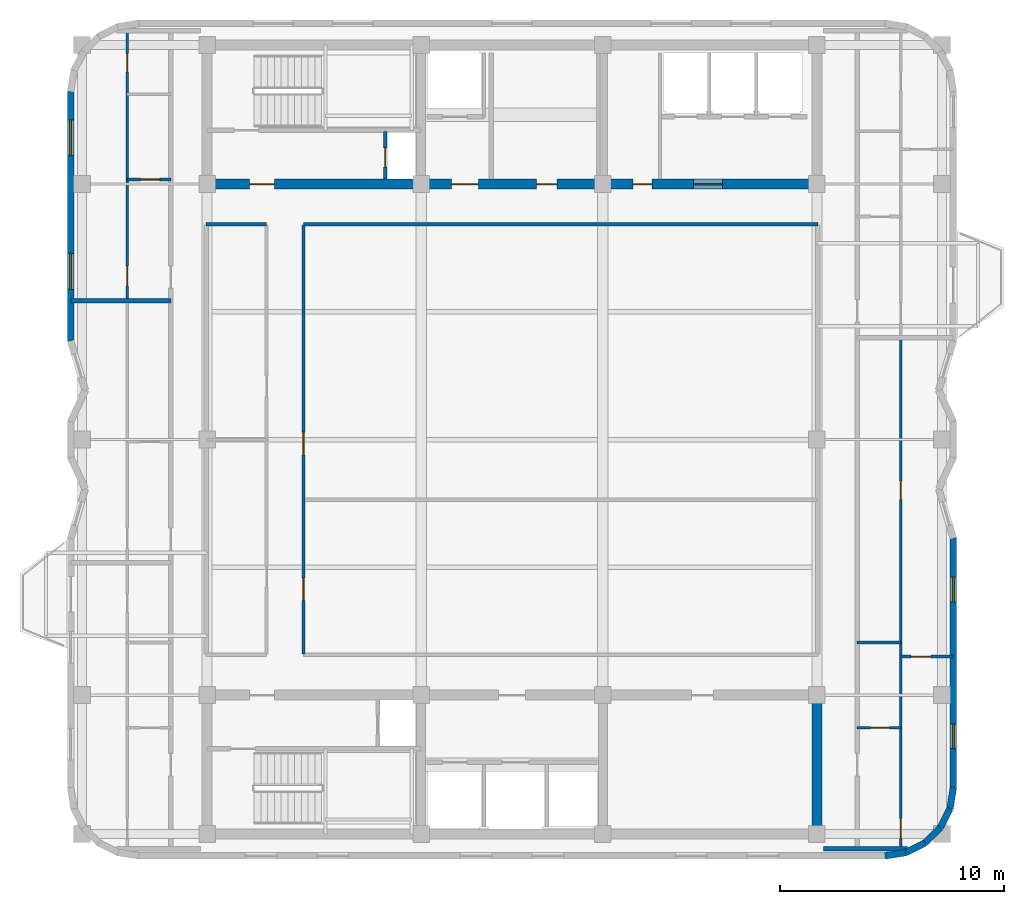
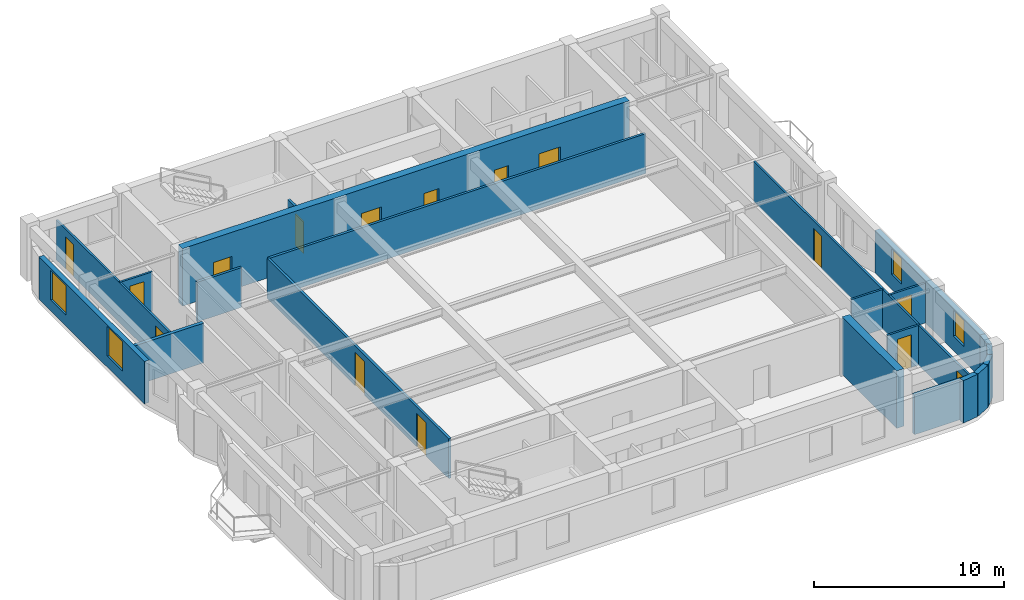
# One storey, part 4 of 8: 21 walls, 15 doors, 4 windows, 19 openings.
"""IFC4 building model written with IfcOpenShell, lengths in metres."""

from ifc_helpers import new_model, si_unit, direction, frame, frame_2d, origin, place, context, subcontext, project, spatial, rectangle, extrude, material, layer, layer_set, type_object, element, fill, save


model = new_model("IFC4")

# Units and contexts
model_context = context("Model", 3, precision=1e-05, world=origin(), true_north=direction((0.0, 1.0)))
body_context = subcontext(model_context, "Body", "Model", "MODEL_VIEW")
ifc_project = project(units=[si_unit("LENGTHUNIT", "METRE"), si_unit("AREAUNIT", "SQUARE_METRE"), si_unit("VOLUMEUNIT", "CUBIC_METRE"), si_unit("PLANEANGLEUNIT", "RADIAN"), si_unit("MASSUNIT", "GRAM", prefix="KILO")], contexts=[model_context])

# Site, building, storey
site_placement = place(None, origin())
site = spatial("IfcSite", under=ifc_project, at=site_placement, CompositionType="ELEMENT")
building_placement = place(site_placement, origin())
building = spatial("IfcBuilding", under=site, at=building_placement, Name="Svetorya Sky Lyceum", CompositionType="ELEMENT")
storey_placement = place(building_placement, frame((0.0, 0.0, 286.10009765625)))
storey = spatial("IfcBuildingStorey", under=building, at=storey_placement, Name="L72", CompositionType="ELEMENT", Elevation=286.10009765625)

# Wall
ifc_material_1 = material(Name="Concrete C50/60", Category="concrete")
ifc_layer_1 = layer(ifc_material_1, 0.449951171875)
ifc_layer_set_1 = layer_set([ifc_layer_1], Name="Concrete C50/60")
wall_type_1 = type_object("IfcWallType", Name="WL-CORE-450", PredefinedType="SHEAR", material=ifc_layer_set_1)
wall_1_placement = place(storey_placement, frame((52.800048828125, 10.824951171875, 0.0), z_axis=(0.0, 0.0, 1.0), x_axis=(0.0, 1.0, 0.0)))
element("IfcWall", 1, at=wall_1_placement, inside=storey, type_object=wall_type_1, Name="L72 SC East Core Shear Wall", PredefinedType="SHEAR", context=body_context, shape_type="SweptSolid", body=[
    extrude(rectangle(XDim=5.75, YDim=0.449951171875, at=frame_2d((2.875, 0.0))), origin(), (0.0, 0.0, 1.0), 3.699951171875),
])

# Wall, openings, doors
wall_2_placement = place(storey_placement, frame((52.800048828125, 39.60009765625, 0.0), z_axis=(0.0, 0.0, 1.0), x_axis=(-1.0, 0.0, 0.0)))
wall_2 = element("IfcWall", 2, at=wall_2_placement, inside=storey, type_object=wall_type_1, Name="L72 NC Inner Core Shear Wall", PredefinedType="SHEAR", context=body_context, shape_type="SweptSolid", body=[
    extrude(rectangle(XDim=27.199951171875, YDim=0.449951171875, at=frame_2d((13.60009765625, 0.0))), origin(), (0.0, 0.0, 1.0), 3.699951171875),
])
opening_1_placement = place(wall_2_placement, frame((24.199951171875, 0.0, 0.0)))
opening_1 = element("IfcOpeningElement", 3, at=opening_1_placement, cuts=wall_2, Name="Opening D-ST1", PredefinedType="OPENING", context=body_context, shape_type="SweptSolid", body=[
    extrude(rectangle(XDim=1.10009765625, YDim=2.14990234375, at=frame_2d((0.550048828125, 1.074951171875))), frame((0.0, 0.23486328125, 0.0), z_axis=(0.0, -1.0, 0.0), x_axis=(1.0, 0.0, 0.0)), (0.0, 0.0, 1.0), 0.469970703125),
])
opening_2_placement = place(wall_2_placement, frame((15.10009765625, 0.0, 0.0)))
opening_2 = element("IfcOpeningElement", 4, at=opening_2_placement, cuts=wall_2, Name="Opening D-FL1", PredefinedType="OPENING", context=body_context, shape_type="SweptSolid", body=[
    extrude(rectangle(XDim=1.199951171875, YDim=2.14990234375, at=frame_2d((0.60009765625, 1.074951171875))), frame((0.0, 0.23486328125, 0.0), z_axis=(0.0, -1.0, 0.0), x_axis=(1.0, 0.0, 0.0)), (0.0, 0.0, 1.0), 0.469970703125),
])
opening_3_placement = place(wall_2_placement, frame((11.60009765625, 0.0, 0.0)))
opening_3 = element("IfcOpeningElement", 5, at=opening_3_placement, cuts=wall_2, Name="Opening D-RM1", PredefinedType="OPENING", context=body_context, shape_type="SweptSolid", body=[
    extrude(rectangle(XDim=0.89990234375, YDim=2.10009765625, at=frame_2d((0.449951171875, 1.050048828125))), frame((0.0, 0.23486328125, 0.0), z_axis=(0.0, -1.0, 0.0), x_axis=(1.0, 0.0, 0.0)), (0.0, 0.0, 1.0), 0.469970703125),
])
opening_4_placement = place(wall_2_placement, frame((7.35009765625, 0.0, 0.0)))
opening_4 = element("IfcOpeningElement", 6, at=opening_4_placement, cuts=wall_2, Name="Opening D-CWC1", PredefinedType="OPENING", context=body_context, shape_type="SweptSolid", body=[
    extrude(rectangle(XDim=0.85009765625, YDim=2.10009765625, at=frame_2d((0.425048828125, 1.050048828125))), frame((0.0, 0.23486328125, 0.0), z_axis=(0.0, -1.0, 0.0), x_axis=(1.0, 0.0, 0.0)), (0.0, 0.0, 1.0), 0.469970703125),
])
opening_5_placement = place(wall_2_placement, frame((4.199951171875, 0.0, 0.0)))
opening_5 = element("IfcOpeningElement", 7, at=opening_5_placement, cuts=wall_2, Name="Opening D-LB1", PredefinedType="OPENING", context=body_context, shape_type="SweptSolid", body=[
    extrude(rectangle(XDim=1.300048828125, YDim=2.199951171875, at=frame_2d((0.64990234375, 1.10009765625))), frame((0.0, 0.23486328125, 0.0), z_axis=(0.0, -1.0, 0.0), x_axis=(1.0, 0.0, 0.0)), (0.0, 0.0, 1.0), 0.469970703125),
])
ifc_material_2 = material(Name="Fire-rated galvanized steel core service closet door", Category="steel")
door_type_1 = type_object("IfcDoorType", Name="DR-CWET-850", OperationType="SINGLE_SWING_LEFT", PredefinedType="DOOR", material=ifc_material_2)
door_1_placement = place(opening_4_placement, origin())
door_1 = element("IfcDoor", 8, at=door_1_placement, inside=storey, type_object=door_type_1, Name="L72 High-Zone Utility Room Door", OperationType="SINGLE_SWING_LEFT", OverallHeight=2.10009765625, OverallWidth=0.85009765625, PredefinedType="DOOR", context=body_context, shape_type="SweptSolid", body=[
    extrude(rectangle(XDim=0.85009765625, YDim=2.10009765625, at=frame_2d((0.425048828125, 1.050048828125))), frame((0.0, 0.02490234375, 0.0), z_axis=(0.0, -1.0, 0.0), x_axis=(1.0, 0.0, 0.0)), (0.0, 0.0, 1.0), 0.050048828125),
])
fill(opening_4, door_1)
ifc_material_3 = material(Name="Powder-coated insulated galvanized stair fire door")
door_type_2 = type_object("IfcDoorType", Name="DR-FIRE-1100", OperationType="SINGLE_SWING_LEFT", PredefinedType="DOOR", material=ifc_material_3)
door_2_placement = place(opening_1_placement, origin())
door_2 = element("IfcDoor", 9, at=door_2_placement, inside=storey, type_object=door_type_2, Name="L72 North Stair Airlock Door", OperationType="SINGLE_SWING_LEFT", OverallHeight=2.14990234375, OverallWidth=1.10009765625, PredefinedType="DOOR", context=body_context, shape_type="SweptSolid", body=[
    extrude(rectangle(XDim=1.10009765625, YDim=2.14990234375, at=frame_2d((0.550048828125, 1.074951171875))), frame((0.0, 0.02490234375, 0.0), z_axis=(0.0, -1.0, 0.0), x_axis=(1.0, 0.0, 0.0)), (0.0, 0.0, 1.0), 0.050048828125),
])
fill(opening_1, door_2)
ifc_material_4 = material(Name="Powder-coated insulated galvanized fire door")
door_type_3 = type_object("IfcDoorType", Name="DR-FIRE-1200", OperationType="SINGLE_SWING_LEFT", PredefinedType="DOOR", material=ifc_material_4)
door_3_placement = place(opening_2_placement, origin())
door_3 = element("IfcDoor", 10, at=door_3_placement, inside=storey, type_object=door_type_3, Name="L72 North Firefighting Lift Lobby Door", OperationType="SINGLE_SWING_RIGHT", OverallHeight=2.14990234375, OverallWidth=1.199951171875, PredefinedType="DOOR", context=body_context, shape_type="SweptSolid", body=[
    extrude(rectangle(XDim=1.199951171875, YDim=2.14990234375, at=frame_2d((0.60009765625, 1.074951171875))), frame((0.0, 0.02490234375, 0.0), z_axis=(0.0, -1.0, 0.0), x_axis=(1.0, 0.0, 0.0)), (0.0, 0.0, 1.0), 0.050048828125),
])
fill(opening_2, door_3)
ifc_material_5 = material(Name="Lacquered birch veneer internal door")
door_type_4 = type_object("IfcDoorType", Name="DR-INT-900", OperationType="SINGLE_SWING_LEFT", PredefinedType="DOOR", material=ifc_material_5)
door_4_placement = place(opening_3_placement, origin())
door_4 = element("IfcDoor", 11, at=door_4_placement, inside=storey, type_object=door_type_4, Name="L72 Upper Archive Door", OperationType="SINGLE_SWING_LEFT", OverallHeight=2.10009765625, OverallWidth=0.89990234375, PredefinedType="DOOR", context=body_context, shape_type="SweptSolid", body=[
    extrude(rectangle(XDim=0.89990234375, YDim=2.10009765625, at=frame_2d((0.449951171875, 1.050048828125))), frame((0.0, 0.02490234375, 0.0), z_axis=(0.0, -1.0, 0.0), x_axis=(1.0, 0.0, 0.0)), (0.0, 0.0, 1.0), 0.050048828125),
])
fill(opening_3, door_4)
ifc_material_6 = material(Name="Glazed fire-rated aluminium lobby door", Category="aluminium")
door_type_5 = type_object("IfcDoorType", Name="DR-LOB-1300", OperationType="SINGLE_SWING_LEFT", PredefinedType="DOOR", material=ifc_material_6)
door_5_placement = place(opening_5_placement, origin())
door_5 = element("IfcDoor", 12, at=door_5_placement, inside=storey, type_object=door_type_5, Name="L72 North Passenger Lift Lobby Door", OperationType="SINGLE_SWING_LEFT", OverallHeight=2.199951171875, OverallWidth=1.300048828125, PredefinedType="DOOR", context=body_context, shape_type="SweptSolid", body=[
    extrude(rectangle(XDim=1.300048828125, YDim=2.199951171875, at=frame_2d((0.64990234375, 1.10009765625))), frame((0.0, 0.02490234375, 0.0), z_axis=(0.0, -1.0, 0.0), x_axis=(1.0, 0.0, 0.0)), (0.0, 0.0, 1.0), 0.050048828125),
])
fill(opening_5, door_5)

# Walls
ifc_material_7 = material(Name="Putilovo limestone rainscreen on autoclaved cellular masonry", Category="masonry")
ifc_layer_2 = layer(ifc_material_7, 0.300048828125)
ifc_layer_set_2 = layer_set([ifc_layer_2], Name="Putilovo limestone rainscreen on autoclaved cellular masonry")
wall_type_2 = type_object("IfcWallType", Name="WL-EXT-300", PredefinedType="SOLIDWALL", material=ifc_layer_set_2)
wall_3_placement = place(storey_placement, frame((55.840087890625, 9.6298828125, 0.0), z_axis=(0.0, 0.0, 1.0), x_axis=(0.987663181641, 0.156593229835, 0.0)))
element("IfcWall", 13, at=wall_3_placement, inside=storey, type_object=wall_type_2, Name="L72 Limestone Exterior Wall 7M", PredefinedType="SOLIDWALL", context=body_context, shape_type="SweptSolid", body=[
    extrude(rectangle(XDim=0.9541015625, YDim=0.300048828125, at=frame_2d((0.47705078125, 0.0))), origin(), (0.0, 0.0, 1.0), 2.72998046875),
])
for number, where, z_axis, x_axis, name in (
    (14, (56.782470703125, 9.779296875, 0.0), (0.0, 0.0, 1.0), (0.891076589373, 0.453852962833, 0.0), "L72 Limestone Exterior Wall 8M"),
    (15, (57.6328125, 10.21240234375, 0.0), (0.0, 0.0, 1.0), (0.707106781187, 0.707106781187, 0.0), "L72 Limestone Exterior Wall 9M"),
    (16, (58.3076171875, 10.88720703125, 0.0), (0.0, 0.0, 1.0), (0.453852962833, 0.891076589373, 0.0), "L72 Limestone Exterior Wall 10M"),
):
    element("IfcWall", number, at=place(storey_placement, frame(where, z_axis=z_axis, x_axis=x_axis)), inside=storey, type_object=wall_type_2, Name=name, PredefinedType="SOLIDWALL", context=body_context, shape_type="SweptSolid", body=[
        extrude(rectangle(XDim=0.954345703125, YDim=0.300048828125, at=frame_2d((0.47705078125, 0.0))), origin(), (0.0, 0.0, 1.0), 2.72998046875),
    ])
wall_4_placement = place(storey_placement, frame((58.74072265625, 11.737548828125, 0.0), z_axis=(0.0, 0.0, 1.0), x_axis=(0.156343617883, 0.987702725088, 0.0)))
element("IfcWall", 17, at=wall_4_placement, inside=storey, type_object=wall_type_2, Name="L72 Limestone Exterior Wall 11M", PredefinedType="SOLIDWALL", context=body_context, shape_type="SweptSolid", body=[
    extrude(rectangle(XDim=0.9541015625, YDim=0.300048828125, at=frame_2d((0.47705078125, 0.0))), origin(), (0.0, 0.0, 1.0), 2.72998046875),
])

# Wall, openings, windows
wall_5_placement = place(storey_placement, frame((58.889892578125, 12.679931640625, 0.0), z_axis=(0.0, 0.0, 1.0), x_axis=(0.0, 1.0, 0.0)))
wall_5 = element("IfcWall", 18, at=wall_5_placement, inside=storey, type_object=wall_type_2, Name="L72 Limestone Exterior Wall 12M", PredefinedType="SOLIDWALL", context=body_context, shape_type="SweptSolid", body=[
    extrude(rectangle(XDim=11.1201171875, YDim=0.300048828125, at=frame_2d((5.56005859375, 0.0))), origin(), (0.0, 0.0, 1.0), 2.72998046875),
])
opening_6_placement = place(wall_5_placement, frame((1.73681640625, 0.0, 0.949951171875)))
opening_6 = element("IfcOpeningElement", 19, at=opening_6_placement, cuts=wall_5, Name="Opening W-R3", PredefinedType="OPENING", context=body_context, shape_type="SweptSolid", body=[
    extrude(rectangle(XDim=1.10009765625, YDim=1.64990234375, at=frame_2d((0.550048828125, 0.824951171875))), frame((0.0, 0.159912109375, 0.0), z_axis=(0.0, -1.0, 0.0), x_axis=(1.0, 0.0, 0.0)), (0.0, 0.0, 1.0), 0.320068359375),
])
opening_7_placement = place(wall_5_placement, frame((8.283203125, 0.0, 0.949951171875)))
opening_7 = element("IfcOpeningElement", 20, at=opening_7_placement, cuts=wall_5, Name="Opening W-R3", PredefinedType="OPENING", context=body_context, shape_type="SweptSolid", body=[
    extrude(rectangle(XDim=1.10009765625, YDim=1.64990234375, at=frame_2d((0.550048828125, 0.824951171875))), frame((0.0, 0.159912109375, 0.0), z_axis=(0.0, -1.0, 0.0), x_axis=(1.0, 0.0, 0.0)), (0.0, 0.0, 1.0), 0.320068359375),
])
ifc_material_8 = material(Name="Thermally broken aluminium frame with triple low-E glazing", Category="aluminium")
window_type_1 = type_object("IfcWindowType", Name="WN-RES-110", PartitioningType="SINGLE_PANEL", PredefinedType="WINDOW", material=ifc_material_8)
window_1_placement = place(opening_6_placement, origin())
window_1 = element("IfcWindow", 21, at=window_1_placement, inside=storey, type_object=window_type_1, Name="L72 Facade Window W-R3.12M.1", OverallHeight=1.64990234375, OverallWidth=1.10009765625, PartitioningType="SINGLE_PANEL", PredefinedType="WINDOW", context=body_context, shape_type="SweptSolid", body=[
    extrude(rectangle(XDim=1.10009765625, YDim=1.64990234375, at=frame_2d((0.550048828125, 0.824951171875))), frame((0.0, 0.030029296875, 0.0), z_axis=(0.0, -1.0, 0.0), x_axis=(1.0, 0.0, 0.0)), (0.0, 0.0, 1.0), 0.06005859375),
])
fill(opening_6, window_1)
window_2_placement = place(opening_7_placement, origin())
window_2 = element("IfcWindow", 22, at=window_2_placement, inside=storey, type_object=window_type_1, Name="L72 Facade Window W-R3.12M.2", OverallHeight=1.64990234375, OverallWidth=1.10009765625, PartitioningType="SINGLE_PANEL", PredefinedType="WINDOW", context=body_context, shape_type="SweptSolid", body=[
    extrude(rectangle(XDim=1.10009765625, YDim=1.64990234375, at=frame_2d((0.550048828125, 0.824951171875))), frame((0.0, 0.030029296875, 0.0), z_axis=(0.0, -1.0, 0.0), x_axis=(1.0, 0.0, 0.0)), (0.0, 0.0, 1.0), 0.06005859375),
])
fill(opening_7, window_2)

wall_6_placement = place(storey_placement, frame((19.510009765625, 43.719970703125, 0.0), z_axis=(0.0, 0.0, 1.0), x_axis=(0.0, -1.0, 0.0)))
wall_6 = element("IfcWall", 23, at=wall_6_placement, inside=storey, type_object=wall_type_2, Name="L72 Limestone Exterior Wall 30M", PredefinedType="SOLIDWALL", context=body_context, shape_type="SweptSolid", body=[
    extrude(rectangle(XDim=11.119873046875, YDim=0.300048828125, at=frame_2d((5.56005859375, 0.0))), origin(), (0.0, 0.0, 1.0), 2.72998046875),
])
opening_8_placement = place(wall_6_placement, frame((1.2548828125, 0.0, 0.7099609375)))
opening_8 = element("IfcOpeningElement", 24, at=opening_8_placement, cuts=wall_6, Name="Opening W-R4", PredefinedType="OPENING", context=body_context, shape_type="SweptSolid", body=[
    extrude(rectangle(XDim=1.60009765625, YDim=1.89990234375, at=frame_2d((0.800048828125, 0.949951171875))), frame((0.0, 0.159912109375, 0.0), z_axis=(0.0, -1.0, 0.0), x_axis=(1.0, 0.0, 0.0)), (0.0, 0.0, 1.0), 0.320068359375),
])
opening_9_placement = place(wall_6_placement, frame((7.215087890625, 0.0, 0.7099609375)))
opening_9 = element("IfcOpeningElement", 25, at=opening_9_placement, cuts=wall_6, Name="Opening W-R4", PredefinedType="OPENING", context=body_context, shape_type="SweptSolid", body=[
    extrude(rectangle(XDim=1.60009765625, YDim=1.89990234375, at=frame_2d((0.800048828125, 0.949951171875))), frame((0.0, 0.159912109375, 0.0), z_axis=(0.0, -1.0, 0.0), x_axis=(1.0, 0.0, 0.0)), (0.0, 0.0, 1.0), 0.320068359375),
])
window_type_2 = type_object("IfcWindowType", Name="WN-RES-160", PartitioningType="DOUBLE_PANEL_VERTICAL", PredefinedType="WINDOW", material=ifc_material_8)
window_3_placement = place(opening_8_placement, origin())
window_3 = element("IfcWindow", 26, at=window_3_placement, inside=storey, type_object=window_type_2, Name="L72 Facade Window W-R4.30M.1", OverallHeight=1.89990234375, OverallWidth=1.60009765625, PartitioningType="SINGLE_PANEL", PredefinedType="WINDOW", context=body_context, shape_type="SweptSolid", body=[
    extrude(rectangle(XDim=1.60009765625, YDim=1.89990234375, at=frame_2d((0.800048828125, 0.949951171875))), frame((0.0, 0.030029296875, 0.0), z_axis=(0.0, -1.0, 0.0), x_axis=(1.0, 0.0, 0.0)), (0.0, 0.0, 1.0), 0.06005859375),
])
fill(opening_8, window_3)
window_4_placement = place(opening_9_placement, origin())
window_4 = element("IfcWindow", 27, at=window_4_placement, inside=storey, type_object=window_type_2, Name="L72 Facade Window W-R4.30M.2", OverallHeight=1.89990234375, OverallWidth=1.60009765625, PartitioningType="SINGLE_PANEL", PredefinedType="WINDOW", context=body_context, shape_type="SweptSolid", body=[
    extrude(rectangle(XDim=1.60009765625, YDim=1.89990234375, at=frame_2d((0.800048828125, 0.949951171875))), frame((0.0, 0.030029296875, 0.0), z_axis=(0.0, -1.0, 0.0), x_axis=(1.0, 0.0, 0.0)), (0.0, 0.0, 1.0), 0.06005859375),
])
fill(opening_9, window_4)

# Wall, opening, door
ifc_material_9 = material(Name="Twin-stud galvanized framing with double fireboard", Category="gypsum")
ifc_layer_3 = layer(ifc_material_9, 0.1201171875)
ifc_layer_set_3 = layer_set([ifc_layer_3], Name="Twin-stud galvanized framing with double fireboard")
wall_type_3 = type_object("IfcWallType", Name="WL-PART-120", PredefinedType="PARTITIONING", material=ifc_layer_set_3)
wall_7_placement = place(storey_placement, frame((22.030029296875, 39.804931640625, 0.0), z_axis=(0.0, 0.0, 1.0), x_axis=(1.0, 0.0, 0.0)))
wall_7 = element("IfcWall", 28, at=wall_7_placement, inside=storey, type_object=wall_type_3, Name="L72 Interior Partition W3-WH1", PredefinedType="PARTITIONING", context=body_context, shape_type="SweptSolid", body=[
    extrude(rectangle(XDim=1.949951171875, YDim=0.1201171875, at=frame_2d((0.97509765625, 0.0))), origin(), (0.0, 0.0, 1.0), 2.559814453125),
])
opening_10_placement = place(wall_7_placement, frame((0.60009765625, 0.0, 0.0)))
opening_10 = element("IfcOpeningElement", 29, at=opening_10_placement, cuts=wall_7, Name="Opening D-BT1", PredefinedType="OPENING", context=body_context, shape_type="SweptSolid", body=[
    extrude(rectangle(XDim=0.85009765625, YDim=2.10009765625, at=frame_2d((0.425048828125, 1.050048828125))), frame((0.0, 0.070068359375, 0.0), z_axis=(0.0, -1.0, 0.0), x_axis=(1.0, 0.0, 0.0)), (0.0, 0.0, 1.0), 0.14013671875),
])
ifc_material_10 = material(Name="Moisture-resistant laminate bathroom door")
door_type_6 = type_object("IfcDoorType", Name="DR-WET-850", OperationType="SINGLE_SWING_LEFT", PredefinedType="DOOR", material=ifc_material_10)
door_6_placement = place(opening_10_placement, origin())
door_6 = element("IfcDoor", 30, at=door_6_placement, inside=storey, type_object=door_type_6, Name="Apartment W3 Bathroom Door", OperationType="SINGLE_SWING_LEFT", OverallHeight=2.10009765625, OverallWidth=0.85009765625, PredefinedType="DOOR", context=body_context, shape_type="SweptSolid", body=[
    extrude(rectangle(XDim=0.85009765625, YDim=2.10009765625, at=frame_2d((0.425048828125, 1.050048828125))), frame((0.0, 0.02490234375, 0.0), z_axis=(0.0, -1.0, 0.0), x_axis=(1.0, 0.0, 0.0)), (0.0, 0.0, 1.0), 0.050048828125),
])
fill(opening_10, door_6)

# Wall, openings, doors
wall_8_placement = place(storey_placement, frame((22.030029296875, 34.445068359375, 0.0), z_axis=(0.0, 0.0, 1.0), x_axis=(0.0, 1.0, 0.0)))
wall_8 = element("IfcWall", 31, at=wall_8_placement, inside=storey, type_object=wall_type_3, Name="L72 Interior Partition W3-WV", PredefinedType="PARTITIONING", context=body_context, shape_type="SweptSolid", body=[
    extrude(rectangle(XDim=11.96484375, YDim=0.1201171875, at=frame_2d((5.982421875, 0.0))), origin(), (0.0, 0.0, 1.0), 2.559814453125),
])
opening_11_placement = place(wall_8_placement, frame((0.610107421875, 0.0, 0.0)))
opening_11 = element("IfcOpeningElement", 32, at=opening_11_placement, cuts=wall_8, Name="Opening D-RM1", PredefinedType="OPENING", context=body_context, shape_type="SweptSolid", body=[
    extrude(rectangle(XDim=0.89990234375, YDim=2.10009765625, at=frame_2d((0.449951171875, 1.050048828125))), frame((0.0, 0.070068359375, 0.0), z_axis=(0.0, -1.0, 0.0), x_axis=(1.0, 0.0, 0.0)), (0.0, 0.0, 1.0), 0.14013671875),
])
opening_12_placement = place(wall_8_placement, frame((10.157470703125, 0.0, 0.0)))
opening_12 = element("IfcOpeningElement", 33, at=opening_12_placement, cuts=wall_8, Name="Opening D-BT2", PredefinedType="OPENING", context=body_context, shape_type="SweptSolid", body=[
    extrude(rectangle(XDim=0.820068359375, YDim=2.080078125, at=frame_2d((0.41015625, 1.0400390625))), frame((0.0, 0.070068359375, 0.0), z_axis=(0.0, -1.0, 0.0), x_axis=(1.0, 0.0, 0.0)), (0.0, 0.0, 1.0), 0.14013671875),
])
door_7_placement = place(opening_11_placement, origin())
door_7 = element("IfcDoor", 34, at=door_7_placement, inside=storey, type_object=door_type_4, Name="Apartment W3 Living Door", OperationType="SINGLE_SWING_RIGHT", OverallHeight=2.10009765625, OverallWidth=0.89990234375, PredefinedType="DOOR", context=body_context, shape_type="SweptSolid", body=[
    extrude(rectangle(XDim=0.89990234375, YDim=2.10009765625, at=frame_2d((0.449951171875, 1.050048828125))), frame((0.0, 0.02490234375, 0.0), z_axis=(0.0, -1.0, 0.0), x_axis=(1.0, 0.0, 0.0)), (0.0, 0.0, 1.0), 0.050048828125),
])
fill(opening_11, door_7)
ifc_material_11 = material(Name="Compact moisture-resistant laminate closet door")
door_type_7 = type_object("IfcDoorType", Name="DR-WET-820", OperationType="SINGLE_SWING_LEFT", PredefinedType="DOOR", material=ifc_material_11)
door_8_placement = place(opening_12_placement, origin())
door_8 = element("IfcDoor", 35, at=door_8_placement, inside=storey, type_object=door_type_7, Name="Apartment W3 Study Door", OperationType="SINGLE_SWING_LEFT", OverallHeight=2.080078125, OverallWidth=0.820068359375, PredefinedType="DOOR", context=body_context, shape_type="SweptSolid", body=[
    extrude(rectangle(XDim=0.820068359375, YDim=2.080078125, at=frame_2d((0.41015625, 1.0400390625))), frame((0.0, 0.02490234375, 0.0), z_axis=(0.0, -1.0, 0.0), x_axis=(1.0, 0.0, 0.0)), (0.0, 0.0, 1.0), 0.050048828125),
])
fill(opening_12, door_8)

# Wall, opening, door
wall_9_placement = place(storey_placement, frame((54.60009765625, 15.35009765625, 0.0), z_axis=(0.0, 0.0, 1.0), x_axis=(1.0, 0.0, 0.0)))
wall_9 = element("IfcWall", 36, at=wall_9_placement, inside=storey, type_object=wall_type_3, Name="L72 Interior Partition E1-WH1", PredefinedType="PARTITIONING", context=body_context, shape_type="SweptSolid", body=[
    extrude(rectangle(XDim=1.949951171875, YDim=0.1201171875, at=frame_2d((0.97509765625, 0.0))), origin(), (0.0, 0.0, 1.0), 2.559814453125),
])
opening_13_placement = place(wall_9_placement, frame((0.60009765625, 0.0, 0.0)))
opening_13 = element("IfcOpeningElement", 37, at=opening_13_placement, cuts=wall_9, Name="Opening D-BT1", PredefinedType="OPENING", context=body_context, shape_type="SweptSolid", body=[
    extrude(rectangle(XDim=0.85009765625, YDim=2.10009765625, at=frame_2d((0.425048828125, 1.050048828125))), frame((0.0, 0.070068359375, 0.0), z_axis=(0.0, -1.0, 0.0), x_axis=(1.0, 0.0, 0.0)), (0.0, 0.0, 1.0), 0.14013671875),
])
door_9_placement = place(opening_13_placement, origin())
door_9 = element("IfcDoor", 38, at=door_9_placement, inside=storey, type_object=door_type_6, Name="Apartment E1 Bathroom Door", OperationType="SINGLE_SWING_RIGHT", OverallHeight=2.10009765625, OverallWidth=0.85009765625, PredefinedType="DOOR", context=body_context, shape_type="SweptSolid", body=[
    extrude(rectangle(XDim=0.85009765625, YDim=2.10009765625, at=frame_2d((0.425048828125, 1.050048828125))), frame((0.0, 0.02490234375, 0.0), z_axis=(0.0, -1.0, 0.0), x_axis=(1.0, 0.0, 0.0)), (0.0, 0.0, 1.0), 0.050048828125),
])
fill(opening_13, door_9)

# Wall
wall_10_placement = place(storey_placement, frame((54.60009765625, 19.14990234375, 0.0), z_axis=(0.0, 0.0, 1.0), x_axis=(1.0, 0.0, 0.0)))
element("IfcWall", 39, at=wall_10_placement, inside=storey, type_object=wall_type_3, Name="L72 Interior Partition E1-WH2", PredefinedType="PARTITIONING", context=body_context, shape_type="SweptSolid", body=[
    extrude(rectangle(XDim=1.949951171875, YDim=0.1201171875, at=frame_2d((0.97509765625, 0.0))), origin(), (0.0, 0.0, 1.0), 2.559814453125),
])

# Wall, opening, door
wall_11_placement = place(storey_placement, frame((56.550048828125, 18.52001953125, 0.0), z_axis=(0.0, 0.0, 1.0), x_axis=(1.0, 0.0, 0.0)))
wall_11 = element("IfcWall", 40, at=wall_11_placement, inside=storey, type_object=wall_type_3, Name="L72 Interior Partition E1-WL1", PredefinedType="PARTITIONING", context=body_context, shape_type="SweptSolid", body=[
    extrude(rectangle(XDim=2.320068359375, YDim=0.1201171875, at=frame_2d((1.16015625, 0.0))), origin(), (0.0, 0.0, 1.0), 2.559814453125),
])
opening_14_placement = place(wall_11_placement, frame((0.449951171875, 0.0, 0.0)))
opening_14 = element("IfcOpeningElement", 41, at=opening_14_placement, cuts=wall_11, Name="Opening D-RM1", PredefinedType="OPENING", context=body_context, shape_type="SweptSolid", body=[
    extrude(rectangle(XDim=0.89990234375, YDim=2.10009765625, at=frame_2d((0.449951171875, 1.050048828125))), frame((0.0, 0.070068359375, 0.0), z_axis=(0.0, -1.0, 0.0), x_axis=(1.0, 0.0, 0.0)), (0.0, 0.0, 1.0), 0.14013671875),
])
door_10_placement = place(opening_14_placement, origin())
door_10 = element("IfcDoor", 42, at=door_10_placement, inside=storey, type_object=door_type_4, Name="Apartment E1 Bedroom 1 Door", OperationType="SINGLE_SWING_RIGHT", OverallHeight=2.10009765625, OverallWidth=0.89990234375, PredefinedType="DOOR", context=body_context, shape_type="SweptSolid", body=[
    extrude(rectangle(XDim=0.89990234375, YDim=2.10009765625, at=frame_2d((0.449951171875, 1.050048828125))), frame((0.0, 0.02490234375, 0.0), z_axis=(0.0, -1.0, 0.0), x_axis=(1.0, 0.0, 0.0)), (0.0, 0.0, 1.0), 0.050048828125),
])
fill(opening_14, door_10)

# Wall, openings, doors
wall_12_placement = place(storey_placement, frame((56.550048828125, 9.989990234375, 0.0), z_axis=(0.0, 0.0, 1.0), x_axis=(0.0, 1.0, 0.0)))
wall_12 = element("IfcWall", 43, at=wall_12_placement, inside=storey, type_object=wall_type_3, Name="L72 Interior Partition E1-WV", PredefinedType="PARTITIONING", context=body_context, shape_type="SweptSolid", body=[
    extrude(rectangle(XDim=22.719970703125, YDim=0.1201171875, at=frame_2d((11.35986328125, 0.0))), origin(), (0.0, 0.0, 1.0), 2.559814453125),
])
opening_15_placement = place(wall_12_placement, frame((0.409912109375, 0.0, 0.0)))
opening_15 = element("IfcOpeningElement", 44, at=opening_15_placement, cuts=wall_12, Name="Opening D-RM1", PredefinedType="OPENING", context=body_context, shape_type="SweptSolid", body=[
    extrude(rectangle(XDim=0.89990234375, YDim=2.10009765625, at=frame_2d((0.449951171875, 1.050048828125))), frame((0.0, 0.070068359375, 0.0), z_axis=(0.0, -1.0, 0.0), x_axis=(1.0, 0.0, 0.0)), (0.0, 0.0, 1.0), 0.14013671875),
])
opening_16_placement = place(wall_12_placement, frame((15.534912109375, 0.0, 0.0)))
opening_16 = element("IfcOpeningElement", 45, at=opening_16_placement, cuts=wall_12, Name="Opening D-BT2", PredefinedType="OPENING", context=body_context, shape_type="SweptSolid", body=[
    extrude(rectangle(XDim=0.820068359375, YDim=2.080078125, at=frame_2d((0.41015625, 1.0400390625))), frame((0.0, 0.070068359375, 0.0), z_axis=(0.0, -1.0, 0.0), x_axis=(1.0, 0.0, 0.0)), (0.0, 0.0, 1.0), 0.14013671875),
])
door_11_placement = place(opening_15_placement, origin())
door_11 = element("IfcDoor", 46, at=door_11_placement, inside=storey, type_object=door_type_4, Name="Apartment E1 Living Door", OperationType="SINGLE_SWING_LEFT", OverallHeight=2.10009765625, OverallWidth=0.89990234375, PredefinedType="DOOR", context=body_context, shape_type="SweptSolid", body=[
    extrude(rectangle(XDim=0.89990234375, YDim=2.10009765625, at=frame_2d((0.449951171875, 1.050048828125))), frame((0.0, 0.02490234375, 0.0), z_axis=(0.0, -1.0, 0.0), x_axis=(1.0, 0.0, 0.0)), (0.0, 0.0, 1.0), 0.050048828125),
])
fill(opening_15, door_11)
door_12_placement = place(opening_16_placement, origin())
door_12 = element("IfcDoor", 47, at=door_12_placement, inside=storey, type_object=door_type_7, Name="Apartment E1 Study Door", OperationType="SINGLE_SWING_RIGHT", OverallHeight=2.080078125, OverallWidth=0.820068359375, PredefinedType="DOOR", context=body_context, shape_type="SweptSolid", body=[
    extrude(rectangle(XDim=0.820068359375, YDim=2.080078125, at=frame_2d((0.41015625, 1.0400390625))), frame((0.0, 0.02490234375, 0.0), z_axis=(0.0, -1.0, 0.0), x_axis=(1.0, 0.0, 0.0)), (0.0, 0.0, 1.0), 0.050048828125),
])
fill(opening_16, door_12)

# Wall, opening, door
ifc_material_12 = material(Name="Autoclaved cellular masonry blockwork with acoustic render", Category="masonry")
ifc_layer_4 = layer(ifc_material_12, 0.14990234375)
ifc_layer_set_4 = layer_set([ifc_layer_4], Name="Autoclaved cellular masonry blockwork with acoustic render")
wall_type_4 = type_object("IfcWallType", Name="WL-PART-150", PredefinedType="PARTITIONING", material=ifc_layer_set_4)
wall_13_placement = place(storey_placement, frame((33.550048828125, 39.820068359375, 0.0), z_axis=(0.0, 0.0, 1.0), x_axis=(0.0, 1.0, 0.0)))
wall_13 = element("IfcWall", 48, at=wall_13_placement, inside=storey, type_object=wall_type_4, Name="L72 Interior Partition NC-RSRW", PredefinedType="PARTITIONING", context=body_context, shape_type="SweptSolid", body=[
    extrude(rectangle(XDim=2.1298828125, YDim=0.14990234375, at=frame_2d((1.06494140625, 0.0))), origin(), (0.0, 0.0, 1.0), 2.559814453125),
])
opening_17_placement = place(wall_13_placement, frame((0.550048828125, 0.0, 0.0)))
opening_17 = element("IfcOpeningElement", 49, at=opening_17_placement, cuts=wall_13, Name="Opening D-SH1", PredefinedType="OPENING", context=body_context, shape_type="SweptSolid", body=[
    extrude(rectangle(XDim=0.85009765625, YDim=2.050048828125, at=frame_2d((0.425048828125, 1.02490234375))), frame((0.0, 0.0849609375, 0.0), z_axis=(0.0, -1.0, 0.0), x_axis=(1.0, 0.0, 0.0)), (0.0, 0.0, 1.0), 0.169921875),
])
ifc_material_13 = material(Name="Insulated galvanized riser inspection fire door")
door_type_8 = type_object("IfcDoorType", Name="DR-SHFT-850", OperationType="SINGLE_SWING_LEFT", PredefinedType="TRAPDOOR", material=ifc_material_13)
door_13_placement = place(opening_17_placement, origin())
door_13 = element("IfcDoor", 50, at=door_13_placement, inside=storey, type_object=door_type_8, Name="L72 North Riser Access Door", OperationType="SINGLE_SWING_LEFT", OverallHeight=2.050048828125, OverallWidth=0.85009765625, PredefinedType="TRAPDOOR", context=body_context, shape_type="SweptSolid", body=[
    extrude(rectangle(XDim=0.85009765625, YDim=2.050048828125, at=frame_2d((0.425048828125, 1.02490234375))), frame((0.0, 0.02490234375, 0.0), z_axis=(0.0, -1.0, 0.0), x_axis=(1.0, 0.0, 0.0)), (0.0, 0.0, 1.0), 0.050048828125),
])
fill(opening_17, door_13)

# Walls
wall_14_placement = place(storey_placement, frame((25.550048828125, 37.800048828125, 0.0), z_axis=(0.0, 0.0, 1.0), x_axis=(1.0, 0.0, 0.0)))
element("IfcWall", 51, at=wall_14_placement, inside=storey, type_object=wall_type_4, Name="L72 Interior Partition OFF-CN-W", PredefinedType="PARTITIONING", context=body_context, shape_type="SweptSolid", body=[
    extrude(rectangle(XDim=2.699951171875, YDim=0.14990234375, at=frame_2d((1.35009765625, 0.0))), origin(), (0.0, 0.0, 1.0), 2.559814453125),
])
wall_15_placement = place(storey_placement, frame((29.89990234375, 37.800048828125, 0.0), z_axis=(0.0, 0.0, 1.0), x_axis=(1.0, 0.0, 0.0)))
element("IfcWall", 52, at=wall_15_placement, inside=storey, type_object=wall_type_4, Name="L72 Interior Partition OFF-CN-E", PredefinedType="PARTITIONING", context=body_context, shape_type="SweptSolid", body=[
    extrude(rectangle(XDim=22.9501953125, YDim=0.14990234375, at=frame_2d((11.47509765625, 0.0))), origin(), (0.0, 0.0, 1.0), 2.559814453125),
])

# Wall, openings, doors
wall_16_placement = place(storey_placement, frame((29.89990234375, 18.6298828125, 0.0), z_axis=(0.0, 0.0, 1.0), x_axis=(0.0, 1.0, 0.0)))
wall_16 = element("IfcWall", 53, at=wall_16_placement, inside=storey, type_object=wall_type_4, Name="L72 Interior Partition OFF-VE", PredefinedType="PARTITIONING", context=body_context, shape_type="SweptSolid", body=[
    extrude(rectangle(XDim=19.14013671875, YDim=0.14990234375, at=frame_2d((9.570068359375, 0.0))), origin(), (0.0, 0.0, 1.0), 2.559814453125),
])
opening_18_placement = place(wall_16_placement, frame((2.39990234375, 0.0, 0.0)))
opening_18 = element("IfcOpeningElement", 54, at=opening_18_placement, cuts=wall_16, Name="Opening D-RM2", PredefinedType="OPENING", context=body_context, shape_type="SweptSolid", body=[
    extrude(rectangle(XDim=1.0, YDim=2.14990234375, at=frame_2d((0.5, 1.074951171875))), frame((0.0, 0.0849609375, 0.0), z_axis=(0.0, -1.0, 0.0), x_axis=(1.0, 0.0, 0.0)), (0.0, 0.0, 1.0), 0.169921875),
])
opening_19_placement = place(wall_16_placement, frame((8.890380859375, 0.0, 0.0)))
opening_19 = element("IfcOpeningElement", 55, at=opening_19_placement, cuts=wall_16, Name="Opening D-RM2", PredefinedType="OPENING", context=body_context, shape_type="SweptSolid", body=[
    extrude(rectangle(XDim=1.0, YDim=2.14990234375, at=frame_2d((0.5, 1.074951171875))), frame((0.0, 0.0849609375, 0.0), z_axis=(0.0, -1.0, 0.0), x_axis=(1.0, 0.0, 0.0)), (0.0, 0.0, 1.0), 0.169921875),
])
ifc_material_14 = material(Name="Solid-core oak acoustic room door")
door_type_9 = type_object("IfcDoorType", Name="DR-INT-1000", OperationType="SINGLE_SWING_LEFT", PredefinedType="DOOR", material=ifc_material_14)
door_14_placement = place(opening_18_placement, origin())
door_14 = element("IfcDoor", 56, at=door_14_placement, inside=storey, type_object=door_type_9, Name="L72 Club Door", OperationType="SINGLE_SWING_RIGHT", OverallHeight=2.14990234375, OverallWidth=1.0, PredefinedType="DOOR", context=body_context, shape_type="SweptSolid", body=[
    extrude(rectangle(XDim=1.0, YDim=2.14990234375, at=frame_2d((0.5, 1.074951171875))), frame((0.0, 0.02490234375, 0.0), z_axis=(0.0, -1.0, 0.0), x_axis=(1.0, 0.0, 0.0)), (0.0, 0.0, 1.0), 0.050048828125),
])
fill(opening_18, door_14)
door_15_placement = place(opening_19_placement, origin())
door_15 = element("IfcDoor", 57, at=door_15_placement, inside=storey, type_object=door_type_9, Name="L72 Seminar Door", OperationType="SINGLE_SWING_LEFT", OverallHeight=2.14990234375, OverallWidth=1.0, PredefinedType="DOOR", context=body_context, shape_type="SweptSolid", body=[
    extrude(rectangle(XDim=1.0, YDim=2.14990234375, at=frame_2d((0.5, 1.074951171875))), frame((0.0, 0.02490234375, 0.0), z_axis=(0.0, -1.0, 0.0), x_axis=(1.0, 0.0, 0.0)), (0.0, 0.0, 1.0), 0.050048828125),
])
fill(opening_19, door_15)

# Walls
ifc_material_15 = material(Name="Autoclaved cellular masonry blockwork with gypsum plaster", Category="masonry")
ifc_layer_5 = layer(ifc_material_15, 0.199951171875)
ifc_layer_set_5 = layer_set([ifc_layer_5], Name="Autoclaved cellular masonry blockwork with gypsum plaster")
wall_type_5 = type_object("IfcWallType", Name="WL-PART-200", PredefinedType="PARTITIONING", material=ifc_layer_set_5)
wall_17_placement = place(storey_placement, frame((19.530029296875, 34.405029296875, 0.0), z_axis=(0.0, 0.0, 1.0), x_axis=(1.0, 0.0, 0.0)))
element("IfcWall", 58, at=wall_17_placement, inside=storey, type_object=wall_type_5, Name="L72 Interior Partition W-PARTY-2", PredefinedType="PARTITIONING", context=body_context, shape_type="SweptSolid", body=[
    extrude(rectangle(XDim=4.449951171875, YDim=0.199951171875, at=frame_2d((2.22509765625, 0.0))), origin(), (0.0, 0.0, 1.0), 2.559814453125),
])
wall_18_placement = place(storey_placement, frame((53.10009765625, 9.949951171875, 0.0), z_axis=(0.0, 0.0, 1.0), x_axis=(1.0, 0.0, 0.0)))
element("IfcWall", 59, at=wall_18_placement, inside=storey, type_object=wall_type_5, Name="L72 Interior Partition E-CAP-S", PredefinedType="PARTITIONING", context=body_context, shape_type="SweptSolid", body=[
    extrude(rectangle(XDim=3.75390625, YDim=0.199951171875, at=frame_2d((1.876953125, 0.0))), origin(), (0.0, 0.0, 1.0), 2.559814453125),
])

save(model, "model.ifc")
